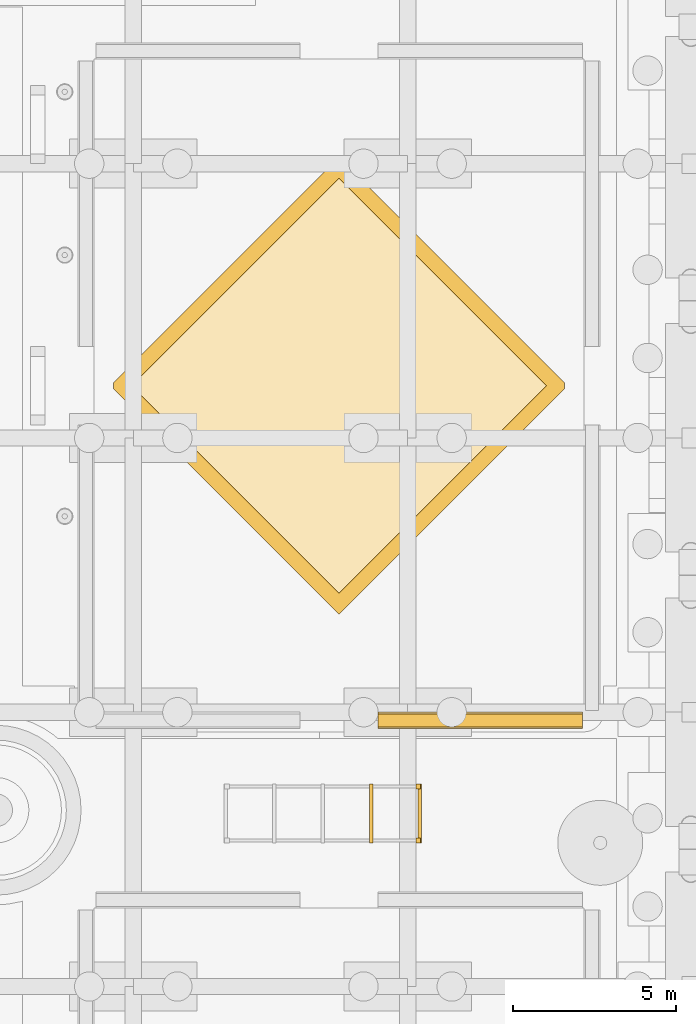
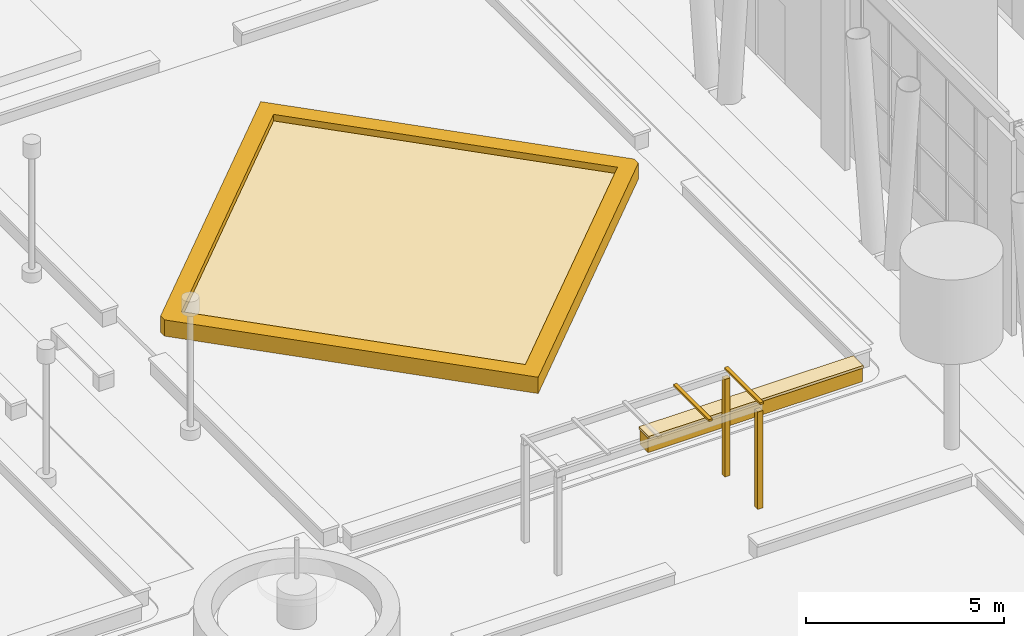
# One storey, part 142 of 222: 4 coverings, 4 shading devices.
"""IFC4 building model written with IfcOpenShell, lengths in metres."""

from ifc_helpers import new_model, si_unit, direction, frame, origin, origin_2d, place, context, subcontext, project, spatial, polyline, rectangle, outline, extrude, material, layer, layer_set, material_profile, profile_set, type_object, element, save


model = new_model("IFC4")

# Units and contexts
model_context = context("Model", 3, precision=1e-05, world=origin(), true_north=direction((0.0, 1.0)))
body_context = subcontext(model_context, "Body", "Model", "MODEL_VIEW")
ifc_project = project(units=[si_unit("LENGTHUNIT", "METRE"), si_unit("AREAUNIT", "SQUARE_METRE"), si_unit("VOLUMEUNIT", "CUBIC_METRE"), si_unit("PLANEANGLEUNIT", "RADIAN"), si_unit("MASSUNIT", "GRAM", prefix="KILO")], contexts=[model_context])

# Site, building, storey
site_placement = place(None, origin())
site = spatial("IfcSite", under=ifc_project, at=site_placement, CompositionType="ELEMENT")
building_placement = place(site_placement, origin())
building = spatial("IfcBuilding", under=site, at=building_placement, Name="Sava Quay Ferry Terminal", CompositionType="ELEMENT")
storey_placement = place(building_placement, origin())
storey = spatial("IfcBuildingStorey", under=building, at=storey_placement, Name="L00", CompositionType="ELEMENT", Elevation=0.0)

# Shading devices
ifc_material_1 = material(Name="Glulam GL28h", Category="wood")
ifc_material_profile_1 = material_profile(ifc_material_1, rectangle(XDim=0.14990234375, YDim=0.14990234375, at=origin_2d()), Name="Pergola 150 x 150")
ifc_profile_set_1 = profile_set([ifc_material_profile_1], Name="Glulam GL28h")
shading_device_type_1 = type_object("IfcShadingDeviceType", Name="Pergola post 150", PredefinedType="USERDEFINED", material=ifc_profile_set_1)
for number, where, z_axis, x_axis, name in (
    (1, (33.925048828125, 80.074951171875, 0.0), (0.0, 0.0, 1.0), (1.0, 0.0, 0.0), "Pergola post"),
    (2, (33.925048828125, 81.72509765625, 0.0), (0.0, 0.0, 1.0), (1.0, 0.0, 0.0), "Pergola post"),
):
    element("IfcShadingDevice", number, at=place(storey_placement, frame(where, z_axis=z_axis, x_axis=x_axis)), inside=storey, type_object=shading_device_type_1, Name=name, ObjectType="PERGOLA POST", PredefinedType="USERDEFINED", context=body_context, shape_type="SweptSolid", body=[
        extrude(rectangle(XDim=0.14990234375, YDim=0.14990234375, at=origin_2d()), origin(), (0.0, 0.0, 1.0), 3.0),
    ])
ifc_material_2 = material(Name="Glulam GL28h", Category="wood")
ifc_material_profile_2 = material_profile(ifc_material_2, rectangle(XDim=0.06005859375, YDim=0.10009765625, at=origin_2d()), Name="Pergola 60 x 100")
ifc_profile_set_2 = profile_set([ifc_material_profile_2], Name="Glulam GL28h")
shading_device_type_2 = type_object("IfcShadingDeviceType", Name="Pergola rafter 60x100", PredefinedType="USERDEFINED", material=ifc_profile_set_2)
for number, where, z_axis, x_axis, name in (
    (3, (32.485107421875, 80.0, 3.22998046875), (0.0, 1.0, 0.0), (0.0, 0.0, 1.0), "Pergola rafter"),
    (4, (33.969970703125, 80.0, 3.22998046875), (0.0, 1.0, 0.0), (0.0, 0.0, 1.0), "Pergola rafter"),
):
    element("IfcShadingDevice", number, at=place(storey_placement, frame(where, z_axis=z_axis, x_axis=x_axis)), inside=storey, type_object=shading_device_type_2, Name=name, ObjectType="PERGOLA RAFTER", PredefinedType="USERDEFINED", context=body_context, shape_type="SweptSolid", body=[
        extrude(rectangle(XDim=0.06005859375, YDim=0.10009765625, at=origin_2d()), origin(), (0.0, 0.0, 1.0), 1.800048828125),
    ])

# Coverings
ifc_material_3 = material(Name="Limestone Mutalj", Category="masonry")
ifc_layer_1 = layer(ifc_material_3, 0.449951171875)
ifc_layer_set_1 = layer_set([ifc_layer_1], Name="Limestone Mutalj")
covering_type_1 = type_object("IfcCoveringType", Name="Seat wall 450", PredefinedType="CLADDING", material=ifc_layer_set_1)
covering_1_placement = place(storey_placement, frame((0.0, 0.0, 0.14990234375)))
element("IfcCovering", 5, at=covering_1_placement, inside=storey, type_object=covering_type_1, Name="Seat wall 450", PredefinedType="CLADDING", context=body_context, shape_type="SweptSolid", body=[
    extrude(outline(polyline([(24.60009765625, 94.10009765625), (24.60009765625, 93.89990234375), (31.5, 87.0), (38.39990234375, 93.89990234375), (38.39990234375, 94.10009765625), (31.5, 101.0), (24.60009765625, 94.10009765625)]), holes=[polyline([(31.5, 87.64990234375), (25.14990234375, 94.0), (31.5, 100.35009765625), (37.85009765625, 94.0), (31.5, 87.64990234375)])]), origin(), (0.0, 0.0, 1.0), 0.5),
])
ifc_material_4 = material(Name="Limestone Mutalj", Category="masonry")
ifc_layer_2 = layer(ifc_material_4, 0.14990234375)
ifc_layer_set_2 = layer_set([ifc_layer_2], Name="Limestone Mutalj")
covering_type_2 = type_object("IfcCoveringType", Name="Stone step 300", PredefinedType="MOLDING", material=ifc_layer_set_2)
covering_2_placement = place(storey_placement, frame((0.0, 0.0, 0.14990234375)))
element("IfcCovering", 6, at=covering_2_placement, inside=storey, type_object=covering_type_2, Name="Stone step 300", PredefinedType="MOLDING", context=body_context, shape_type="SweptSolid", body=[
    extrude(outline(polyline([(25.14990234375, 94.0), (31.5, 87.64990234375), (37.85009765625, 94.0), (31.5, 100.35009765625), (25.14990234375, 94.0)])), origin(), (0.0, 0.0, 1.0), 0.300048828125),
])
ifc_material_5 = material(Name="Limestone Mutalj", Category="masonry")
ifc_layer_3 = layer(ifc_material_5, 0.080078125)
ifc_layer_set_3 = layer_set([ifc_layer_3], Name="Limestone Mutalj")
covering_type_3 = type_object("IfcCoveringType", Name="Terrace parterre coping 500", PredefinedType="MOLDING", material=ifc_layer_set_3)
covering_3_placement = place(storey_placement, frame((0.0, 0.0, 0.449951171875)))
element("IfcCovering", 7, at=covering_3_placement, inside=storey, type_object=covering_type_3, Name="Parterre wall coping", PredefinedType="MOLDING", context=body_context, shape_type="SweptSolid", body=[
    extrude(outline(polyline([(32.699951171875, 84.0), (32.699951171875, 83.5), (38.949951171875, 83.5), (38.949951171875, 84.0), (32.699951171875, 84.0)])), origin(), (0.0, 0.0, 1.0), 0.080078125),
])
ifc_material_6 = material(Name="Limestone Mutalj", Category="masonry")
ifc_layer_4 = layer(ifc_material_6, 0.39990234375)
ifc_layer_set_4 = layer_set([ifc_layer_4], Name="Limestone Mutalj")
covering_type_4 = type_object("IfcCoveringType", Name="Terrace parterre wall 400", PredefinedType="CLADDING", material=ifc_layer_set_4)
covering_4_placement = place(storey_placement, origin())
element("IfcCovering", 8, at=covering_4_placement, inside=storey, type_object=covering_type_4, Name="Parterre wall", PredefinedType="CLADDING", context=body_context, shape_type="SweptSolid", body=[
    extrude(outline(polyline([(32.699951171875, 83.949951171875), (32.699951171875, 83.550048828125), (38.949951171875, 83.550048828125), (38.949951171875, 83.949951171875), (32.699951171875, 83.949951171875)])), origin(), (0.0, 0.0, 1.0), 0.449951171875),
])

save(model, "model.ifc")
